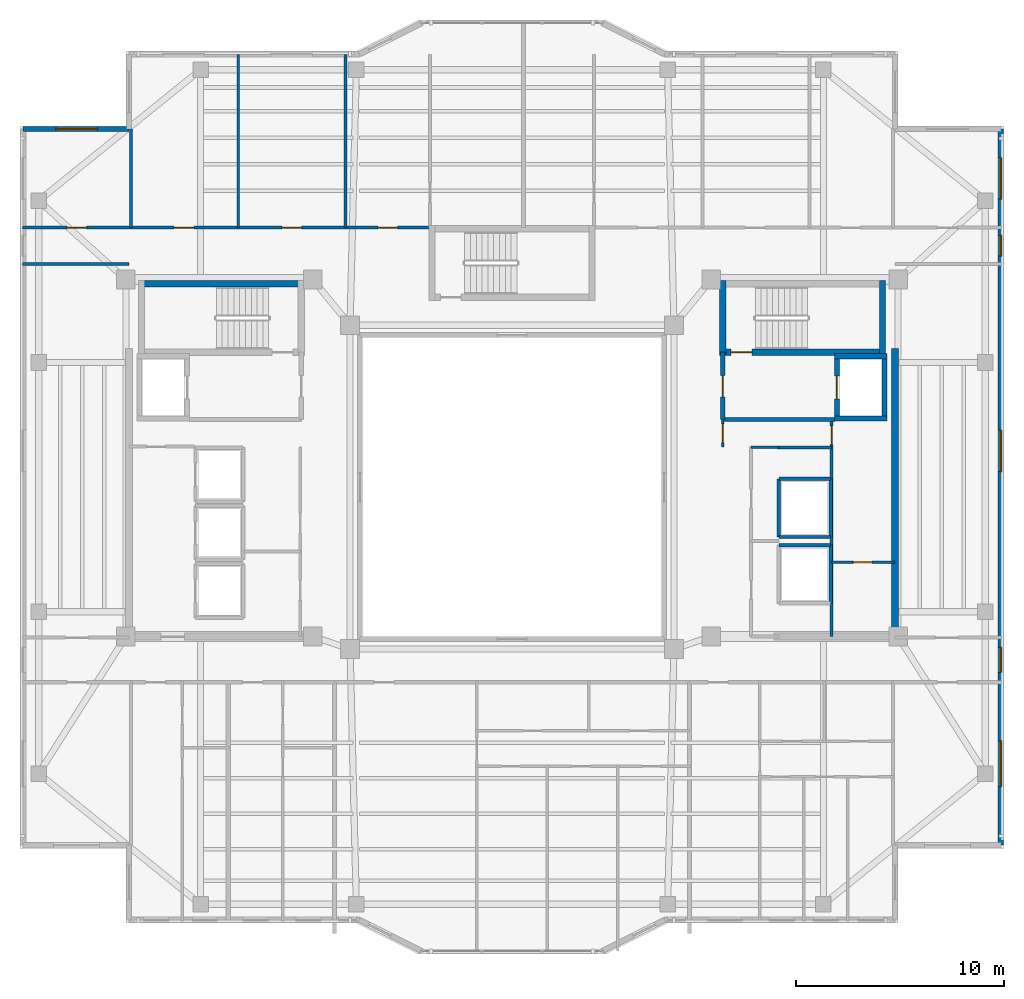
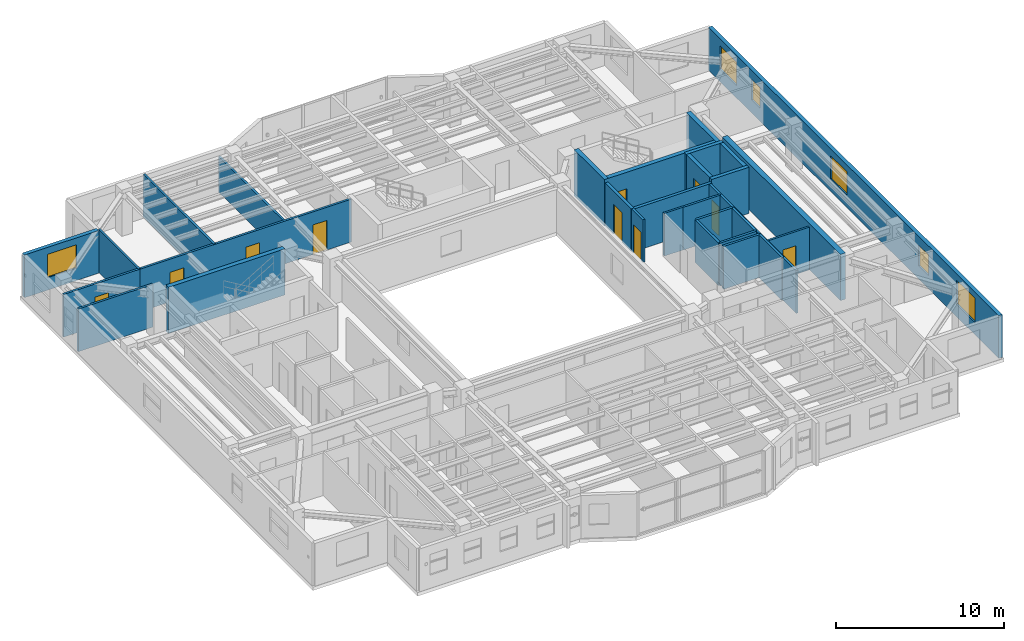
# One storey, part 9 of 14: 30 walls, 10 doors, 6 windows, 16 openings.
"""IFC4 building model written with IfcOpenShell, lengths in metres."""

from ifc_helpers import new_model, si_unit, direction, frame, frame_2d, origin, place, context, subcontext, project, spatial, rectangle, extrude, material, layer, layer_set, type_object, element, fill, save


model = new_model("IFC4")

# Units and contexts
model_context = context("Model", 3, precision=1e-05, world=origin(), true_north=direction((0.0, 1.0)))
body_context = subcontext(model_context, "Body", "Model", "MODEL_VIEW")
ifc_project = project(units=[si_unit("LENGTHUNIT", "METRE"), si_unit("AREAUNIT", "SQUARE_METRE"), si_unit("VOLUMEUNIT", "CUBIC_METRE"), si_unit("PLANEANGLEUNIT", "RADIAN"), si_unit("MASSUNIT", "GRAM", prefix="KILO")], contexts=[model_context])

# Site, building, storey
site_placement = place(None, origin())
site = spatial("IfcSite", under=ifc_project, at=site_placement, CompositionType="ELEMENT")
building_placement = place(site_placement, origin())
building = spatial("IfcBuilding", under=site, at=building_placement, Name="Tarnavaz Court Tower", CompositionType="ELEMENT")
storey_placement = place(building_placement, frame((0.0, 0.0, 190.25)))
storey = spatial("IfcBuildingStorey", under=building, at=storey_placement, Name="L51", CompositionType="ELEMENT", Elevation=190.25)

# Wall, opening, door
ifc_material_1 = material(Name="Concrete C50/60", Category="concrete")
ifc_layer_1 = layer(ifc_material_1, 0.25)
ifc_layer_set_1 = layer_set([ifc_layer_1], Name="Concrete C50/60")
wall_type_1 = type_object("IfcWallType", Name="WL-CORE-250-C50", PredefinedType="SHEAR", material=ifc_layer_set_1)
wall_1_placement = place(storey_placement, frame((15.64990234375, 3.175048828125, 0.0), z_axis=(0.0, 0.0, 1.0), x_axis=(0.0, 1.0, 0.0)))
wall_1 = element("IfcWall", 1, at=wall_1_placement, inside=storey, type_object=wall_type_1, Name="L51 Lift FL-E1 Shaft Wall 033", PredefinedType="SHEAR", context=body_context, shape_type="SweptSolid", body=[
    extrude(rectangle(XDim=3.25, YDim=0.25, at=frame_2d((1.625, 0.0))), origin(), (0.0, 0.0, 1.0), 3.35009765625),
])
opening_1_placement = place(wall_1_placement, frame((1.074951171875, 0.0, 0.0)))
opening_1 = element("IfcOpeningElement", 2, at=opening_1_placement, cuts=wall_1, Name="Opening LD1", PredefinedType="OPENING", context=body_context, shape_type="SweptSolid", body=[
    extrude(rectangle(XDim=1.10009765625, YDim=2.14990234375, at=frame_2d((0.550048828125, 1.074951171875))), frame((0.0, 0.135009765625, 0.0), z_axis=(0.0, -1.0, 0.0), x_axis=(1.0, 0.0, 0.0)), (0.0, 0.0, 1.0), 0.27001953125),
])
ifc_material_2 = material(Name="Stainless Steel", Category="steel")
door_type_1 = type_object("IfcDoorType", Name="DR-LD-1100", OperationType="NOTDEFINED", PredefinedType="DOOR", material=ifc_material_2)
door_1_placement = place(opening_1_placement, origin())
door_1 = element("IfcDoor", 3, at=door_1_placement, inside=storey, type_object=door_type_1, Name="L51 Lift Landing Door LD-FL-E1", OperationType="SLIDING_TO_LEFT", OverallHeight=2.14990234375, OverallWidth=1.10009765625, PredefinedType="DOOR", context=body_context, shape_type="SweptSolid", body=[
    extrude(rectangle(XDim=1.10009765625, YDim=2.14990234375, at=frame_2d((0.550048828125, 1.074951171875))), frame((0.0, 0.02490234375, 0.0), z_axis=(0.0, -1.0, 0.0), x_axis=(1.0, 0.0, 0.0)), (0.0, 0.0, 1.0), 0.050048828125),
])
fill(opening_1, door_1)

# Walls
wall_2_placement = place(storey_placement, frame((17.949951171875, 3.175048828125, 0.0), z_axis=(0.0, 0.0, 1.0), x_axis=(0.0, 1.0, 0.0)))
element("IfcWall", 4, at=wall_2_placement, inside=storey, type_object=wall_type_1, Name="L51 Lift FL-E1 Shaft Wall 034", PredefinedType="SHEAR", context=body_context, shape_type="SweptSolid", body=[
    extrude(rectangle(XDim=3.25, YDim=0.25, at=frame_2d((1.625, 0.0))), origin(), (0.0, 0.0, 1.0), 3.35009765625),
])
for number, where, z_axis, x_axis, name in (
    (5, (15.52490234375, 3.300048828125, 0.0), (0.0, 0.0, 1.0), (1.0, 0.0, 0.0), "L51 Lift FL-E1 Shaft Wall 035"),
    (6, (15.52490234375, 6.300048828125, 0.0), (0.0, 0.0, 1.0), (1.0, 0.0, 0.0), "L51 Lift FL-E1 Shaft Wall 036"),
):
    element("IfcWall", number, at=place(storey_placement, frame(where, z_axis=z_axis, x_axis=x_axis)), inside=storey, type_object=wall_type_1, Name=name, PredefinedType="SHEAR", context=body_context, shape_type="SweptSolid", body=[
        extrude(rectangle(XDim=2.550048828125, YDim=0.25, at=frame_2d((1.27490234375, 0.0))), origin(), (0.0, 0.0, 1.0), 3.35009765625),
    ])
ifc_layer_2 = layer(ifc_material_1, 0.300048828125)
ifc_layer_set_2 = layer_set([ifc_layer_2], Name="Concrete C50/60")
wall_type_2 = type_object("IfcWallType", Name="WL-CORE-300-C50", PredefinedType="SHEAR", material=ifc_layer_set_2)
wall_3_placement = place(storey_placement, frame((-18.0, 9.7900390625, 0.0), z_axis=(0.0, 0.0, 1.0), x_axis=(1.0, 0.0, 0.0)))
element("IfcWall", 7, at=wall_3_placement, inside=storey, type_object=wall_type_2, Name="L51 West Stair Core Wall 001", PredefinedType="SHEAR", context=body_context, shape_type="SweptSolid", body=[
    extrude(rectangle(XDim=8.0, YDim=0.300048828125, at=frame_2d((4.0, 0.0))), origin(), (0.0, 0.0, 1.0), 3.35009765625),
])

# Wall, opening, door
wall_4_placement = place(storey_placement, frame((10.0, 6.5, 0.0), z_axis=(0.0, 0.0, 1.0), x_axis=(1.0, 0.0, 0.0)))
wall_4 = element("IfcWall", 8, at=wall_4_placement, inside=storey, type_object=wall_type_2, Name="L51 East Stair Core Wall 006", PredefinedType="SHEAR", context=body_context, shape_type="SweptSolid", body=[
    extrude(rectangle(XDim=8.0, YDim=0.300048828125, at=frame_2d((4.0, 0.0))), origin(), (0.0, 0.0, 1.0), 3.35009765625),
])
opening_2_placement = place(wall_4_placement, frame((0.550048828125, 0.0, 0.0)))
opening_2 = element("IfcOpeningElement", 9, at=opening_2_placement, cuts=wall_4, Name="Opening D01", PredefinedType="OPENING", context=body_context, shape_type="SweptSolid", body=[
    extrude(rectangle(XDim=1.0, YDim=2.14990234375, at=frame_2d((0.5, 1.074951171875))), frame((0.0, 0.159912109375, 0.0), z_axis=(0.0, -1.0, 0.0), x_axis=(1.0, 0.0, 0.0)), (0.0, 0.0, 1.0), 0.320068359375),
])
ifc_material_3 = material(Name="Fire-Rated Hardwood Timber Core", Category="wood")
door_type_2 = type_object("IfcDoorType", Name="DR-FD90-1000", OperationType="NOTDEFINED", PredefinedType="DOOR", material=ifc_material_3)
door_2_placement = place(opening_2_placement, origin())
door_2 = element("IfcDoor", 10, at=door_2_placement, inside=storey, type_object=door_type_2, Name="L51 Stair ST-E1 Exit Door", OperationType="SINGLE_SWING_RIGHT", OverallHeight=2.14990234375, OverallWidth=1.0, PredefinedType="DOOR", context=body_context, shape_type="SweptSolid", body=[
    extrude(rectangle(XDim=1.0, YDim=2.14990234375, at=frame_2d((0.5, 1.074951171875))), frame((0.0, 0.02490234375, 0.0), z_axis=(0.0, -1.0, 0.0), x_axis=(1.0, 0.0, 0.0)), (0.0, 0.0, 1.0), 0.050048828125),
])
fill(opening_2, door_2)

# Walls
for number, where, z_axis, x_axis, name in (
    (11, (10.14990234375, 6.35009765625, 0.0), (0.0, 0.0, 1.0), (0.0, 1.0, 0.0), "L51 East Stair Core Wall 007"),
    (12, (17.85009765625, 6.35009765625, 0.0), (0.0, 0.0, 1.0), (0.0, 1.0, 0.0), "L51 East Stair Core Wall 008"),
):
    element("IfcWall", number, at=place(storey_placement, frame(where, z_axis=z_axis, x_axis=x_axis)), inside=storey, type_object=wall_type_2, Name=name, PredefinedType="SHEAR", context=body_context, shape_type="SweptSolid", body=[
        extrude(rectangle(XDim=3.58984375, YDim=0.300048828125, at=frame_2d((1.794921875, 0.0))), origin(), (0.0, 0.0, 1.0), 3.35009765625),
    ])
ifc_layer_3 = layer(ifc_material_1, 0.35009765625)
ifc_layer_set_3 = layer_set([ifc_layer_3], Name="Concrete C50/60")
wall_type_3 = type_object("IfcWallType", Name="WL-CORE-350-C50", PredefinedType="SHEAR", material=ifc_layer_set_3)
wall_5_placement = place(storey_placement, frame((18.449951171875, -7.375, 0.0), z_axis=(0.0, 0.0, 1.0), x_axis=(0.0, 1.0, 0.0)))
element("IfcWall", 13, at=wall_5_placement, inside=storey, type_object=wall_type_3, Name="L51 East Core Shear Wall 047", PredefinedType="SHEAR", context=body_context, shape_type="SweptSolid", body=[
    extrude(rectangle(XDim=14.050048828125, YDim=0.35009765625, at=frame_2d((7.02490234375, 0.0))), origin(), (0.0, 0.0, 1.0), 3.35009765625),
])

# Wall, opening, window
ifc_material_4 = material(Name="Precast Concrete C40/50", Category="concrete")
ifc_layer_4 = layer(ifc_material_4, 0.260009765625)
ifc_layer_set_4 = layer_set([ifc_layer_4], Name="Precast Concrete C40/50")
wall_type_4 = type_object("IfcWallType", Name="WL-EXT-260", PredefinedType="SOLIDWALL", material=ifc_layer_set_4)
wall_6_placement = place(storey_placement, frame((-23.550048828125, 17.25, 0.0), z_axis=(0.0, 0.0, 1.0), x_axis=(1.0, 0.0, 0.0)))
wall_6 = element("IfcWall", 14, at=wall_6_placement, inside=storey, type_object=wall_type_4, Name="L51 Exterior Terracotta Facade Wall 03", PredefinedType="SOLIDWALL", context=body_context, shape_type="SweptSolid", body=[
    extrude(rectangle(XDim=5.10009765625, YDim=0.260009765625, at=frame_2d((2.550048828125, 0.0))), origin(), (0.0, 0.0, 1.0), 3.10009765625),
])
opening_3_placement = place(wall_6_placement, frame((1.574951171875, 0.0, 0.89990234375)))
opening_3 = element("IfcOpeningElement", 15, at=opening_3_placement, cuts=wall_6, Name="Opening W08", PredefinedType="OPENING", context=body_context, shape_type="SweptSolid", body=[
    extrude(rectangle(XDim=2.0, YDim=1.699951171875, at=frame_2d((1.0, 0.85009765625))), frame((0.0, 0.139892578125, 0.0), z_axis=(0.0, -1.0, 0.0), x_axis=(1.0, 0.0, 0.0)), (0.0, 0.0, 1.0), 0.280029296875),
])
ifc_material_5 = material(Name="Double-Glazed Solar Low-E Glass", Category="glass")
window_type_1 = type_object("IfcWindowType", Name="WN-APT-2000", PartitioningType="DOUBLE_PANEL_VERTICAL", PredefinedType="WINDOW", material=ifc_material_5)
window_1_placement = place(opening_3_placement, origin())
window_1 = element("IfcWindow", 16, at=window_1_placement, inside=storey, type_object=window_type_1, Name="L51 North-West Corner Sunroom Study Window", OverallHeight=1.699951171875, OverallWidth=2.0, PartitioningType="SINGLE_PANEL", PredefinedType="WINDOW", context=body_context, shape_type="SweptSolid", body=[
    extrude(rectangle(XDim=2.0, YDim=1.699951171875, at=frame_2d((1.0, 0.85009765625))), frame((0.0, 0.030029296875, 0.0), z_axis=(0.0, -1.0, 0.0), x_axis=(1.0, 0.0, 0.0)), (0.0, 0.0, 1.0), 0.06005859375),
])
fill(opening_3, window_1)

# Wall, openings, windows
wall_7_placement = place(storey_placement, frame((23.550048828125, 17.25, 0.0), z_axis=(0.0, 0.0, 1.0), x_axis=(0.0, -1.0, 0.0)))
wall_7 = element("IfcWall", 17, at=wall_7_placement, inside=storey, type_object=wall_type_4, Name="L51 Exterior Terracotta Facade Wall 12", PredefinedType="SOLIDWALL", context=body_context, shape_type="SweptSolid", body=[
    extrude(rectangle(XDim=34.5, YDim=0.260009765625, at=frame_2d((17.25, 0.0))), origin(), (0.0, 0.0, 1.0), 3.10009765625),
])
opening_4_placement = place(wall_7_placement, frame((1.375, 0.0, 0.89990234375)))
opening_4 = element("IfcOpeningElement", 18, at=opening_4_placement, cuts=wall_7, Name="Opening W08", PredefinedType="OPENING", context=body_context, shape_type="SweptSolid", body=[
    extrude(rectangle(XDim=2.0, YDim=1.699951171875, at=frame_2d((1.0, 0.85009765625))), frame((0.0, 0.139892578125, 0.0), z_axis=(0.0, -1.0, 0.0), x_axis=(1.0, 0.0, 0.0)), (0.0, 0.0, 1.0), 0.280029296875),
])
opening_5_placement = place(wall_7_placement, frame((5.125, 0.0, 0.949951171875)))
opening_5 = element("IfcOpeningElement", 19, at=opening_5_placement, cuts=wall_7, Name="Opening W14", PredefinedType="OPENING", context=body_context, shape_type="SweptSolid", body=[
    extrude(rectangle(XDim=1.0, YDim=1.5, at=frame_2d((0.5, 0.75))), frame((0.0, 0.139892578125, 0.0), z_axis=(0.0, -1.0, 0.0), x_axis=(1.0, 0.0, 0.0)), (0.0, 0.0, 1.0), 0.280029296875),
])
opening_6_placement = place(wall_7_placement, frame((14.5, 0.0, 0.89990234375)))
opening_6 = element("IfcOpeningElement", 20, at=opening_6_placement, cuts=wall_7, Name="Opening W08", PredefinedType="OPENING", context=body_context, shape_type="SweptSolid", body=[
    extrude(rectangle(XDim=2.0, YDim=1.699951171875, at=frame_2d((1.0, 0.85009765625))), frame((0.0, 0.139892578125, 0.0), z_axis=(0.0, -1.0, 0.0), x_axis=(1.0, 0.0, 0.0)), (0.0, 0.0, 1.0), 0.280029296875),
])
opening_7_placement = place(wall_7_placement, frame((24.97509765625, 0.0, 0.949951171875)))
opening_7 = element("IfcOpeningElement", 21, at=opening_7_placement, cuts=wall_7, Name="Opening W05", PredefinedType="OPENING", context=body_context, shape_type="SweptSolid", body=[
    extrude(rectangle(XDim=1.199951171875, YDim=1.5, at=frame_2d((0.60009765625, 0.75))), frame((0.0, 0.139892578125, 0.0), z_axis=(0.0, -1.0, 0.0), x_axis=(1.0, 0.0, 0.0)), (0.0, 0.0, 1.0), 0.280029296875),
])
opening_8_placement = place(wall_7_placement, frame((29.47509765625, 0.0, 0.89990234375)))
opening_8 = element("IfcOpeningElement", 22, at=opening_8_placement, cuts=wall_7, Name="Opening W07", PredefinedType="OPENING", context=body_context, shape_type="SweptSolid", body=[
    extrude(rectangle(XDim=2.199951171875, YDim=1.75, at=frame_2d((1.10009765625, 0.875))), frame((0.0, 0.139892578125, 0.0), z_axis=(0.0, -1.0, 0.0), x_axis=(1.0, 0.0, 0.0)), (0.0, 0.0, 1.0), 0.280029296875),
])
window_type_2 = type_object("IfcWindowType", Name="WN-APT-1000", PartitioningType="SINGLE_PANEL", PredefinedType="WINDOW", material=ifc_material_5)
window_2_placement = place(opening_5_placement, origin())
window_2 = element("IfcWindow", 23, at=window_2_placement, inside=storey, type_object=window_type_2, Name="L51 North-East Corner Corridor Window", OverallHeight=1.5, OverallWidth=1.0, PartitioningType="SINGLE_PANEL", PredefinedType="WINDOW", context=body_context, shape_type="SweptSolid", body=[
    extrude(rectangle(XDim=1.0, YDim=1.5, at=frame_2d((0.5, 0.75))), frame((0.0, 0.030029296875, 0.0), z_axis=(0.0, -1.0, 0.0), x_axis=(1.0, 0.0, 0.0)), (0.0, 0.0, 1.0), 0.06005859375),
])
fill(opening_5, window_2)
window_type_3 = type_object("IfcWindowType", Name="WN-APT-1200", PartitioningType="SINGLE_PANEL", PredefinedType="WINDOW", material=ifc_material_5)
window_3_placement = place(opening_7_placement, origin())
window_3 = element("IfcWindow", 24, at=window_3_placement, inside=storey, type_object=window_type_3, Name="L51 South-East Corner Corridor Window", OverallHeight=1.5, OverallWidth=1.199951171875, PartitioningType="SINGLE_PANEL", PredefinedType="WINDOW", context=body_context, shape_type="SweptSolid", body=[
    extrude(rectangle(XDim=1.199951171875, YDim=1.5, at=frame_2d((0.60009765625, 0.75))), frame((0.0, 0.030029296875, 0.0), z_axis=(0.0, -1.0, 0.0), x_axis=(1.0, 0.0, 0.0)), (0.0, 0.0, 1.0), 0.06005859375),
])
fill(opening_7, window_3)
window_4_placement = place(opening_4_placement, origin())
window_4 = element("IfcWindow", 25, at=window_4_placement, inside=storey, type_object=window_type_1, Name="L51 North-East Corner Sunroom Study Window", OverallHeight=1.699951171875, OverallWidth=2.0, PartitioningType="SINGLE_PANEL", PredefinedType="WINDOW", context=body_context, shape_type="SweptSolid", body=[
    extrude(rectangle(XDim=2.0, YDim=1.699951171875, at=frame_2d((1.0, 0.85009765625))), frame((0.0, 0.030029296875, 0.0), z_axis=(0.0, -1.0, 0.0), x_axis=(1.0, 0.0, 0.0)), (0.0, 0.0, 1.0), 0.06005859375),
])
fill(opening_4, window_4)
window_5_placement = place(opening_6_placement, origin())
window_5 = element("IfcWindow", 26, at=window_5_placement, inside=storey, type_object=window_type_1, Name="L51 East Wing Daycare Playroom Window", OverallHeight=1.699951171875, OverallWidth=2.0, PartitioningType="SINGLE_PANEL", PredefinedType="WINDOW", context=body_context, shape_type="SweptSolid", body=[
    extrude(rectangle(XDim=2.0, YDim=1.699951171875, at=frame_2d((1.0, 0.85009765625))), frame((0.0, 0.030029296875, 0.0), z_axis=(0.0, -1.0, 0.0), x_axis=(1.0, 0.0, 0.0)), (0.0, 0.0, 1.0), 0.06005859375),
])
fill(opening_6, window_5)
window_type_4 = type_object("IfcWindowType", Name="WN-APT-2200", PartitioningType="TRIPLE_PANEL_VERTICAL", PredefinedType="WINDOW", material=ifc_material_5)
window_6_placement = place(opening_8_placement, origin())
window_6 = element("IfcWindow", 27, at=window_6_placement, inside=storey, type_object=window_type_4, Name="L51 South-East Corner Reading Room Window", OverallHeight=1.75, OverallWidth=2.199951171875, PartitioningType="SINGLE_PANEL", PredefinedType="WINDOW", context=body_context, shape_type="SweptSolid", body=[
    extrude(rectangle(XDim=2.199951171875, YDim=1.75, at=frame_2d((1.10009765625, 0.875))), frame((0.0, 0.030029296875, 0.0), z_axis=(0.0, -1.0, 0.0), x_axis=(1.0, 0.0, 0.0)), (0.0, 0.0, 1.0), 0.06005859375),
])
fill(opening_8, window_6)

# Wall, openings, doors
ifc_material_6 = material(Name="Gypsum Fire-Board on Acoustic Metal Stud", Category="masonry")
ifc_layer_5 = layer(ifc_material_6, 0.14990234375)
ifc_layer_set_5 = layer_set([ifc_layer_5], Name="Gypsum Fire-Board on Acoustic Metal Stud")
wall_type_5 = type_object("IfcWallType", Name="WL-FIRE-150", PredefinedType="PARTITIONING", material=ifc_layer_set_5)
wall_8_placement = place(storey_placement, frame((-18.35009765625, 12.5, 0.0), z_axis=(0.0, 0.0, 1.0), x_axis=(1.0, 0.0, 0.0)))
wall_8 = element("IfcWall", 28, at=wall_8_placement, inside=storey, type_object=wall_type_5, Name="L51 NW Wing Corridor Wall 060", PredefinedType="PARTITIONING", context=body_context, shape_type="SweptSolid", body=[
    extrude(rectangle(XDim=14.5, YDim=0.14990234375, at=frame_2d((7.25, 0.0))), origin(), (0.0, 0.0, 1.0), 3.10009765625),
])
opening_9_placement = place(wall_8_placement, frame((2.075927734375, 0.0, 0.0)))
opening_9 = element("IfcOpeningElement", 29, at=opening_9_placement, cuts=wall_8, Name="Opening D13", PredefinedType="OPENING", context=body_context, shape_type="SweptSolid", body=[
    extrude(rectangle(XDim=0.949951171875, YDim=2.14990234375, at=frame_2d((0.47509765625, 1.074951171875))), frame((0.0, 0.0849609375, 0.0), z_axis=(0.0, -1.0, 0.0), x_axis=(1.0, 0.0, 0.0)), (0.0, 0.0, 1.0), 0.169921875),
])
opening_10_placement = place(wall_8_placement, frame((7.26904296875, 0.0, 0.0)))
opening_10 = element("IfcOpeningElement", 30, at=opening_10_placement, cuts=wall_8, Name="Opening D13", PredefinedType="OPENING", context=body_context, shape_type="SweptSolid", body=[
    extrude(rectangle(XDim=0.949951171875, YDim=2.14990234375, at=frame_2d((0.47509765625, 1.074951171875))), frame((0.0, 0.0849609375, 0.0), z_axis=(0.0, -1.0, 0.0), x_axis=(1.0, 0.0, 0.0)), (0.0, 0.0, 1.0), 0.169921875),
])
opening_11_placement = place(wall_8_placement, frame((11.887939453125, 0.0, 0.0)))
opening_11 = element("IfcOpeningElement", 31, at=opening_11_placement, cuts=wall_8, Name="Opening D13", PredefinedType="OPENING", context=body_context, shape_type="SweptSolid", body=[
    extrude(rectangle(XDim=0.949951171875, YDim=2.14990234375, at=frame_2d((0.47509765625, 1.074951171875))), frame((0.0, 0.0849609375, 0.0), z_axis=(0.0, -1.0, 0.0), x_axis=(1.0, 0.0, 0.0)), (0.0, 0.0, 1.0), 0.169921875),
])
ifc_material_7 = material(Name="Engineered Oak Timber", Category="wood")
door_type_3 = type_object("IfcDoorType", Name="DR-INT-950", OperationType="NOTDEFINED", PredefinedType="DOOR", material=ifc_material_7)
door_3_placement = place(opening_9_placement, origin())
door_3 = element("IfcDoor", 32, at=door_3_placement, inside=storey, type_object=door_type_3, Name="L51 Resident Fitness and Yoga Studio Door", OperationType="SINGLE_SWING_RIGHT", OverallHeight=2.14990234375, OverallWidth=0.949951171875, PredefinedType="DOOR", context=body_context, shape_type="SweptSolid", body=[
    extrude(rectangle(XDim=0.949951171875, YDim=2.14990234375, at=frame_2d((0.47509765625, 1.074951171875))), frame((0.0, 0.02490234375, 0.0), z_axis=(0.0, -1.0, 0.0), x_axis=(1.0, 0.0, 0.0)), (0.0, 0.0, 1.0), 0.050048828125),
])
fill(opening_9, door_3)
door_4_placement = place(opening_10_placement, origin())
door_4 = element("IfcDoor", 33, at=door_4_placement, inside=storey, type_object=door_type_3, Name="L51 Children Playroom and Daycare Door", OperationType="SINGLE_SWING_LEFT", OverallHeight=2.14990234375, OverallWidth=0.949951171875, PredefinedType="DOOR", context=body_context, shape_type="SweptSolid", body=[
    extrude(rectangle(XDim=0.949951171875, YDim=2.14990234375, at=frame_2d((0.47509765625, 1.074951171875))), frame((0.0, 0.02490234375, 0.0), z_axis=(0.0, -1.0, 0.0), x_axis=(1.0, 0.0, 0.0)), (0.0, 0.0, 1.0), 0.050048828125),
])
fill(opening_10, door_4)
door_5_placement = place(opening_11_placement, origin())
door_5 = element("IfcDoor", 34, at=door_5_placement, inside=storey, type_object=door_type_3, Name="L51 Shared Community Tea Pantry Door", OperationType="SINGLE_SWING_RIGHT", OverallHeight=2.14990234375, OverallWidth=0.949951171875, PredefinedType="DOOR", context=body_context, shape_type="SweptSolid", body=[
    extrude(rectangle(XDim=0.949951171875, YDim=2.14990234375, at=frame_2d((0.47509765625, 1.074951171875))), frame((0.0, 0.02490234375, 0.0), z_axis=(0.0, -1.0, 0.0), x_axis=(1.0, 0.0, 0.0)), (0.0, 0.0, 1.0), 0.050048828125),
])
fill(opening_11, door_5)

# Wall
wall_9_placement = place(storey_placement, frame((-23.580078125, 10.75, 0.0), z_axis=(0.0, 0.0, 1.0), x_axis=(1.0, 0.0, 0.0)))
element("IfcWall", 35, at=wall_9_placement, inside=storey, type_object=wall_type_5, Name="L51 Interior Partition 096", PredefinedType="PARTITIONING", context=body_context, shape_type="SweptSolid", body=[
    extrude(rectangle(XDim=5.130126953125, YDim=0.14990234375, at=frame_2d((2.56494140625, 0.0))), origin(), (0.0, 0.0, 1.0), 3.10009765625),
])

# Wall, opening, door
wall_10_placement = place(storey_placement, frame((-23.580078125, 12.5, 0.0), z_axis=(0.0, 0.0, 1.0), x_axis=(1.0, 0.0, 0.0)))
wall_10 = element("IfcWall", 36, at=wall_10_placement, inside=storey, type_object=wall_type_5, Name="L51 Interior Partition 103", PredefinedType="PARTITIONING", context=body_context, shape_type="SweptSolid", body=[
    extrude(rectangle(XDim=5.22998046875, YDim=0.14990234375, at=frame_2d((2.614990234375, 0.0))), origin(), (0.0, 0.0, 1.0), 3.10009765625),
])
opening_12_placement = place(wall_10_placement, frame((2.139892578125, 0.0, 0.0)))
opening_12 = element("IfcOpeningElement", 37, at=opening_12_placement, cuts=wall_10, Name="Opening D13", PredefinedType="OPENING", context=body_context, shape_type="SweptSolid", body=[
    extrude(rectangle(XDim=0.949951171875, YDim=2.14990234375, at=frame_2d((0.47509765625, 1.074951171875))), frame((0.0, 0.0849609375, 0.0), z_axis=(0.0, -1.0, 0.0), x_axis=(1.0, 0.0, 0.0)), (0.0, 0.0, 1.0), 0.169921875),
])
door_6_placement = place(opening_12_placement, origin())
door_6 = element("IfcDoor", 38, at=door_6_placement, inside=storey, type_object=door_type_3, Name="L51 NW Sunroom Door", OperationType="SINGLE_SWING_RIGHT", OverallHeight=2.14990234375, OverallWidth=0.949951171875, PredefinedType="DOOR", context=body_context, shape_type="SweptSolid", body=[
    extrude(rectangle(XDim=0.949951171875, YDim=2.14990234375, at=frame_2d((0.47509765625, 1.074951171875))), frame((0.0, 0.02490234375, 0.0), z_axis=(0.0, -1.0, 0.0), x_axis=(1.0, 0.0, 0.0)), (0.0, 0.0, 1.0), 0.050048828125),
])
fill(opening_12, door_6)

# Wall
ifc_material_8 = material(Name="Autoclaved Aerated Concrete Blockwork", Category="masonry")
ifc_layer_6 = layer(ifc_material_8, 0.199951171875)
ifc_layer_set_6 = layer_set([ifc_layer_6], Name="Autoclaved Aerated Concrete Blockwork")
wall_type_6 = type_object("IfcWallType", Name="WL-FIRE-200", PredefinedType="SOLIDWALL", material=ifc_layer_set_6)
wall_11_placement = place(storey_placement, frame((10.14990234375, 3.25, 0.0), z_axis=(0.0, 0.0, 1.0), x_axis=(1.0, 0.0, 0.0)))
element("IfcWall", 39, at=wall_11_placement, inside=storey, type_object=wall_type_6, Name="L51 East Firefighting Lobby Wall 015", PredefinedType="SOLIDWALL", context=body_context, shape_type="SweptSolid", body=[
    extrude(rectangle(XDim=5.400146484375, YDim=0.199951171875, at=frame_2d((2.7001953125, 0.0))), origin(), (0.0, 0.0, 1.0), 3.10009765625),
])

# Wall, opening, door
wall_12_placement = place(storey_placement, frame((10.14990234375, 3.25, 0.0), z_axis=(0.0, 0.0, 1.0), x_axis=(0.0, 1.0, 0.0)))
wall_12 = element("IfcWall", 40, at=wall_12_placement, inside=storey, type_object=wall_type_6, Name="L51 East Firefighting Lobby Wall 016", PredefinedType="SOLIDWALL", context=body_context, shape_type="SweptSolid", body=[
    extrude(rectangle(XDim=3.25, YDim=0.199951171875, at=frame_2d((1.625, 0.0))), origin(), (0.0, 0.0, 1.0), 3.10009765625),
])
opening_13_placement = place(wall_12_placement, frame((1.10009765625, 0.0, 0.0)))
opening_13 = element("IfcOpeningElement", 41, at=opening_13_placement, cuts=wall_12, Name="Opening D05", PredefinedType="OPENING", context=body_context, shape_type="SweptSolid", body=[
    extrude(rectangle(XDim=1.02001953125, YDim=2.14990234375, at=frame_2d((0.510009765625, 1.074951171875))), frame((0.0, 0.10986328125, 0.0), z_axis=(0.0, -1.0, 0.0), x_axis=(1.0, 0.0, 0.0)), (0.0, 0.0, 1.0), 0.219970703125),
])
door_type_4 = type_object("IfcDoorType", Name="DR-FD60-1000", OperationType="NOTDEFINED", PredefinedType="DOOR", material=ifc_material_3)
door_7_placement = place(opening_13_placement, origin())
door_7 = element("IfcDoor", 42, at=door_7_placement, inside=storey, type_object=door_type_4, Name="L51 East Firefighting Lobby Door", OperationType="SINGLE_SWING_LEFT", OverallHeight=2.14990234375, OverallWidth=1.02001953125, PredefinedType="DOOR", context=body_context, shape_type="SweptSolid", body=[
    extrude(rectangle(XDim=1.02001953125, YDim=2.14990234375, at=frame_2d((0.510009765625, 1.074951171875))), frame((0.0, 0.02490234375, 0.0), z_axis=(0.0, -1.0, 0.0), x_axis=(1.0, 0.0, 0.0)), (0.0, 0.0, 1.0), 0.050048828125),
])
fill(opening_13, door_7)

# Wall
ifc_material_9 = material(Name="Gypsum Plasterboard Acoustic Partition", Category="masonry")
ifc_layer_7 = layer(ifc_material_9, 0.139892578125)
ifc_layer_set_7 = layer_set([ifc_layer_7], Name="Gypsum Plasterboard Acoustic Partition")
wall_type_7 = type_object("IfcWallType", Name="WL-PART-150", PredefinedType="PARTITIONING", material=ifc_layer_set_7)
wall_13_placement = place(storey_placement, frame((12.800048828125, 1.89990234375, 0.0), z_axis=(0.0, 0.0, 1.0), x_axis=(1.0, 0.0, 0.0)))
element("IfcWall", 43, at=wall_13_placement, inside=storey, type_object=wall_type_7, Name="L51 Interior Partition 052", PredefinedType="PARTITIONING", context=body_context, shape_type="SweptSolid", body=[
    extrude(rectangle(XDim=2.599853515625, YDim=0.139892578125, at=frame_2d((1.2998046875, 0.0))), origin(), (0.0, 0.0, 1.0), 3.10009765625),
])

# Wall, opening, door
wall_14_placement = place(storey_placement, frame((10.14990234375, 1.919921875, 0.0), z_axis=(0.0, 0.0, 1.0), x_axis=(0.0, 1.0, 0.0)))
wall_14 = element("IfcWall", 44, at=wall_14_placement, inside=storey, type_object=wall_type_7, Name="L51 Interior Partition 053", PredefinedType="PARTITIONING", context=body_context, shape_type="SweptSolid", body=[
    extrude(rectangle(XDim=1.330078125, YDim=0.139892578125, at=frame_2d((0.6650390625, 0.0))), origin(), (0.0, 0.0, 1.0), 3.10009765625),
])
opening_14_placement = place(wall_14_placement, frame((0.219970703125, 0.0, 0.0)))
opening_14 = element("IfcOpeningElement", 45, at=opening_14_placement, cuts=wall_14, Name="Opening D09", PredefinedType="OPENING", context=body_context, shape_type="SweptSolid", body=[
    extrude(rectangle(XDim=0.89990234375, YDim=2.080078125, at=frame_2d((0.449951171875, 1.0400390625))), frame((0.0, 0.079833984375, 0.0), z_axis=(0.0, -1.0, 0.0), x_axis=(1.0, 0.0, 0.0)), (0.0, 0.0, 1.0), 0.159912109375),
])
door_type_5 = type_object("IfcDoorType", Name="DR-FD30-900", OperationType="NOTDEFINED", PredefinedType="DOOR", material=ifc_material_3)
door_8_placement = place(opening_14_placement, origin())
door_8 = element("IfcDoor", 46, at=door_8_placement, inside=storey, type_object=door_type_5, Name="L51 East Core Service Lobby Door", OperationType="SINGLE_SWING_LEFT", OverallHeight=2.080078125, OverallWidth=0.89990234375, PredefinedType="DOOR", context=body_context, shape_type="SweptSolid", body=[
    extrude(rectangle(XDim=0.89990234375, YDim=2.080078125, at=frame_2d((0.449951171875, 1.0400390625))), frame((0.0, 0.02490234375, 0.0), z_axis=(0.0, -1.0, 0.0), x_axis=(1.0, 0.0, 0.0)), (0.0, 0.0, 1.0), 0.050048828125),
])
fill(opening_14, door_8)

wall_15_placement = place(storey_placement, frame((15.39990234375, -7.199951171875, 0.0), z_axis=(0.0, 0.0, 1.0), x_axis=(0.0, 1.0, 0.0)))
wall_15 = element("IfcWall", 47, at=wall_15_placement, inside=storey, type_object=wall_type_7, Name="L51 Interior Partition 054", PredefinedType="PARTITIONING", context=body_context, shape_type="SweptSolid", body=[
    extrude(rectangle(XDim=10.449951171875, YDim=0.139892578125, at=frame_2d((5.22509765625, 0.0))), origin(), (0.0, 0.0, 1.0), 3.10009765625),
])
opening_15_placement = place(wall_15_placement, frame((9.25, 0.0, 0.0)))
opening_15 = element("IfcOpeningElement", 48, at=opening_15_placement, cuts=wall_15, Name="Opening D09", PredefinedType="OPENING", context=body_context, shape_type="SweptSolid", body=[
    extrude(rectangle(XDim=0.89990234375, YDim=2.080078125, at=frame_2d((0.449951171875, 1.0400390625))), frame((0.0, 0.079833984375, 0.0), z_axis=(0.0, -1.0, 0.0), x_axis=(1.0, 0.0, 0.0)), (0.0, 0.0, 1.0), 0.159912109375),
])
door_9_placement = place(opening_15_placement, origin())
door_9 = element("IfcDoor", 49, at=door_9_placement, inside=storey, type_object=door_type_5, Name="L51 East Wet Riser Door", OperationType="SINGLE_SWING_RIGHT", OverallHeight=2.080078125, OverallWidth=0.89990234375, PredefinedType="DOOR", context=body_context, shape_type="SweptSolid", body=[
    extrude(rectangle(XDim=0.89990234375, YDim=2.080078125, at=frame_2d((0.449951171875, 1.0400390625))), frame((0.0, 0.02490234375, 0.0), z_axis=(0.0, -1.0, 0.0), x_axis=(1.0, 0.0, 0.0)), (0.0, 0.0, 1.0), 0.050048828125),
])
fill(opening_15, door_9)

wall_16_placement = place(storey_placement, frame((15.39990234375, -3.6201171875, 0.0), z_axis=(0.0, 0.0, 1.0), x_axis=(1.0, 0.0, 0.0)))
wall_16 = element("IfcWall", 50, at=wall_16_placement, inside=storey, type_object=wall_type_7, Name="L51 Interior Partition 055", PredefinedType="PARTITIONING", context=body_context, shape_type="SweptSolid", body=[
    extrude(rectangle(XDim=3.050048828125, YDim=0.139892578125, at=frame_2d((1.52490234375, 0.0))), origin(), (0.0, 0.0, 1.0), 3.10009765625),
])
opening_16_placement = place(wall_16_placement, frame((1.050048828125, 0.0, 0.0)))
opening_16 = element("IfcOpeningElement", 51, at=opening_16_placement, cuts=wall_16, Name="Opening D09", PredefinedType="OPENING", context=body_context, shape_type="SweptSolid", body=[
    extrude(rectangle(XDim=0.89990234375, YDim=2.080078125, at=frame_2d((0.449951171875, 1.0400390625))), frame((0.0, 0.079833984375, 0.0), z_axis=(0.0, -1.0, 0.0), x_axis=(1.0, 0.0, 0.0)), (0.0, 0.0, 1.0), 0.159912109375),
])
door_10_placement = place(opening_16_placement, origin())
door_10 = element("IfcDoor", 52, at=door_10_placement, inside=storey, type_object=door_type_5, Name="L51 East Electrical Plant Door", OperationType="SINGLE_SWING_LEFT", OverallHeight=2.080078125, OverallWidth=0.89990234375, PredefinedType="DOOR", context=body_context, shape_type="SweptSolid", body=[
    extrude(rectangle(XDim=0.89990234375, YDim=2.080078125, at=frame_2d((0.449951171875, 1.0400390625))), frame((0.0, 0.02490234375, 0.0), z_axis=(0.0, -1.0, 0.0), x_axis=(1.0, 0.0, 0.0)), (0.0, 0.0, 1.0), 0.050048828125),
])
fill(opening_16, door_10)

# Walls
wall_17_placement = place(storey_placement, frame((11.52001953125, 1.919921875, 0.0), z_axis=(0.0, 0.0, 1.0), x_axis=(1.0, 0.0, 0.0)))
element("IfcWall", 53, at=wall_17_placement, inside=storey, type_object=wall_type_7, Name="L51 Interior Partition 057", PredefinedType="PARTITIONING", context=body_context, shape_type="SweptSolid", body=[
    extrude(rectangle(XDim=1.330078125, YDim=0.139892578125, at=frame_2d((0.6650390625, 0.0))), origin(), (0.0, 0.0, 1.0), 3.10009765625),
])
wall_18_placement = place(storey_placement, frame((-13.18798828125, 12.5, 0.0), z_axis=(0.0, 0.0, 1.0), x_axis=(0.0, 1.0, 0.0)))
element("IfcWall", 54, at=wall_18_placement, inside=storey, type_object=wall_type_7, Name="L51 Interior Partition 066", PredefinedType="PARTITIONING", context=body_context, shape_type="SweptSolid", body=[
    extrude(rectangle(XDim=8.35009765625, YDim=0.139892578125, at=frame_2d((4.175048828125, 0.0))), origin(), (0.0, 0.0, 1.0), 3.10009765625),
])
wall_19_placement = place(storey_placement, frame((-8.02490234375, 12.5, 0.0), z_axis=(0.0, 0.0, 1.0), x_axis=(0.0, 1.0, 0.0)))
element("IfcWall", 55, at=wall_19_placement, inside=storey, type_object=wall_type_7, Name="L51 Interior Partition 067", PredefinedType="PARTITIONING", context=body_context, shape_type="SweptSolid", body=[
    extrude(rectangle(XDim=8.35009765625, YDim=0.139892578125, at=frame_2d((4.175048828125, 0.0))), origin(), (0.0, 0.0, 1.0), 2.5849609375),
])
wall_20_placement = place(storey_placement, frame((-18.35009765625, 12.5, 0.0), z_axis=(0.0, 0.0, 1.0), x_axis=(0.0, 1.0, 0.0)))
element("IfcWall", 56, at=wall_20_placement, inside=storey, type_object=wall_type_7, Name="L51 Interior Partition 101", PredefinedType="PARTITIONING", context=body_context, shape_type="SweptSolid", body=[
    extrude(rectangle(XDim=4.75, YDim=0.139892578125, at=frame_2d((2.375, 0.0))), origin(), (0.0, 0.0, 1.0), 3.10009765625),
])
ifc_layer_8 = layer(ifc_material_8, 0.159912109375)
ifc_layer_set_8 = layer_set([ifc_layer_8], Name="Autoclaved Aerated Concrete Blockwork")
wall_type_8 = type_object("IfcWallType", Name="WL-SHAFT-150", PredefinedType="SOLIDWALL", material=ifc_layer_set_8)
wall_21_placement = place(storey_placement, frame((15.35009765625, -5.60009765625, 0.0), z_axis=(0.0, 0.0, 1.0), x_axis=(0.0, 1.0, 0.0)))
element("IfcWall", 57, at=wall_21_placement, inside=storey, type_object=wall_type_8, Name="L51 Lift PL-OB1 Shaft Wall 038", PredefinedType="SOLIDWALL", context=body_context, shape_type="SweptSolid", body=[
    extrude(rectangle(XDim=2.800048828125, YDim=0.159912109375, at=frame_2d((1.39990234375, 0.0))), origin(), (0.0, 0.0, 1.0), 3.10009765625),
])
wall_22_placement = place(storey_placement, frame((12.85009765625, -2.800048828125, 0.0), z_axis=(0.0, 0.0, 1.0), x_axis=(1.0, 0.0, 0.0)))
element("IfcWall", 58, at=wall_22_placement, inside=storey, type_object=wall_type_8, Name="L51 Lift PL-OB1 Shaft Wall 040", PredefinedType="SOLIDWALL", context=body_context, shape_type="SweptSolid", body=[
    extrude(rectangle(XDim=2.5, YDim=0.159912109375, at=frame_2d((1.25, 0.0))), origin(), (0.0, 0.0, 1.0), 3.10009765625),
])
for number, where, z_axis, x_axis, name in (
    (59, (12.85009765625, -2.39990234375, 0.0), (0.0, 0.0, 1.0), (0.0, 1.0, 0.0), "L51 Lift PL-OB2 Shaft Wall 041"),
    (60, (15.35009765625, -2.39990234375, 0.0), (0.0, 0.0, 1.0), (0.0, 1.0, 0.0), "L51 Lift PL-OB2 Shaft Wall 042"),
):
    element("IfcWall", number, at=place(storey_placement, frame(where, z_axis=z_axis, x_axis=x_axis)), inside=storey, type_object=wall_type_8, Name=name, PredefinedType="SOLIDWALL", context=body_context, shape_type="SweptSolid", body=[
        extrude(rectangle(XDim=2.7998046875, YDim=0.159912109375, at=frame_2d((1.39990234375, 0.0))), origin(), (0.0, 0.0, 1.0), 3.10009765625),
    ])
for number, where, z_axis, x_axis, name in (
    (61, (12.85009765625, -2.39990234375, 0.0), (0.0, 0.0, 1.0), (1.0, 0.0, 0.0), "L51 Lift PL-OB2 Shaft Wall 043"),
    (62, (12.85009765625, 0.39990234375, 0.0), (0.0, 0.0, 1.0), (1.0, 0.0, 0.0), "L51 Lift PL-OB2 Shaft Wall 044"),
):
    element("IfcWall", number, at=place(storey_placement, frame(where, z_axis=z_axis, x_axis=x_axis)), inside=storey, type_object=wall_type_8, Name=name, PredefinedType="SOLIDWALL", context=body_context, shape_type="SweptSolid", body=[
        extrude(rectangle(XDim=2.5, YDim=0.159912109375, at=frame_2d((1.25, 0.0))), origin(), (0.0, 0.0, 1.0), 3.10009765625),
    ])

save(model, "model.ifc")
